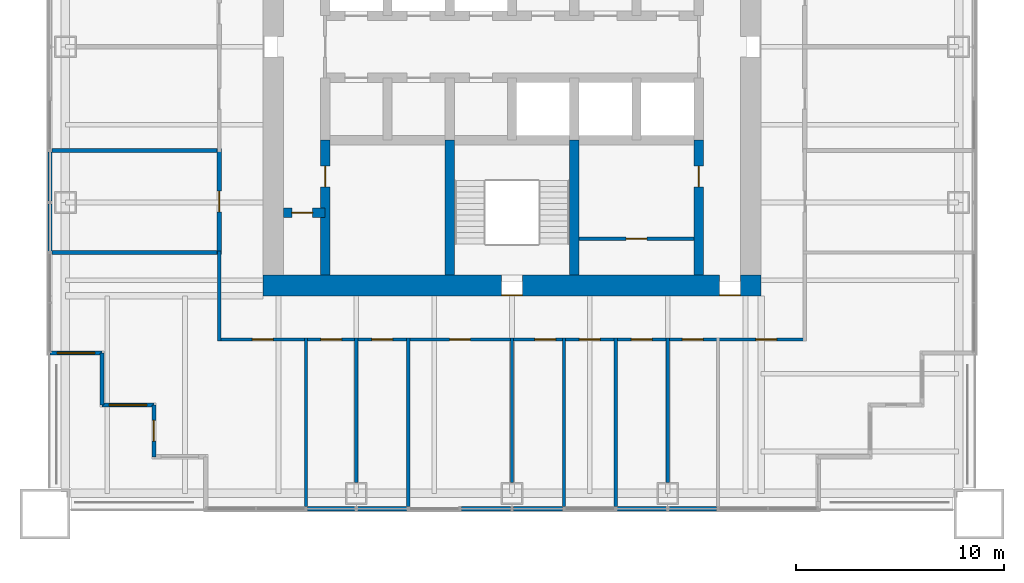
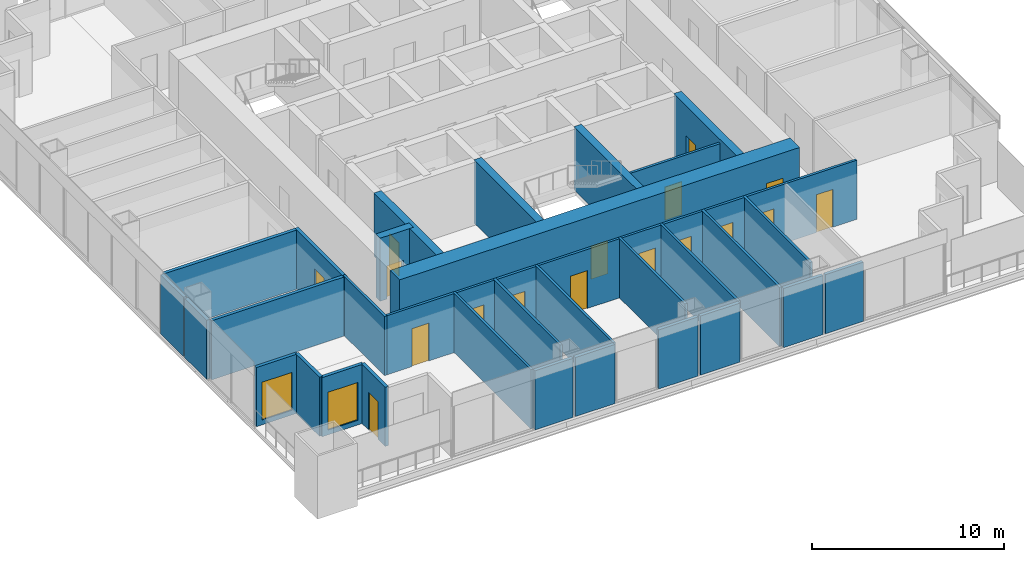
# One storey, part 8 of 14: 31 walls, 17 doors, 2 windows, 19 openings.
"""IFC4 building model written with IfcOpenShell, lengths in metres."""

from ifc_helpers import new_model, si_unit, direction, frame, frame_2d, origin, place, context, subcontext, project, spatial, rectangle, extrude, material, layer, layer_set, type_object, element, fill, save


model = new_model("IFC4")

# Units and contexts
model_context = context("Model", 3, precision=1e-05, world=origin(), true_north=direction((0.0, 1.0)))
body_context = subcontext(model_context, "Body", "Model", "MODEL_VIEW")
ifc_project = project(units=[si_unit("LENGTHUNIT", "METRE"), si_unit("AREAUNIT", "SQUARE_METRE"), si_unit("VOLUMEUNIT", "CUBIC_METRE"), si_unit("PLANEANGLEUNIT", "RADIAN"), si_unit("MASSUNIT", "GRAM", prefix="KILO")], contexts=[model_context])

# Site, building, storey
site_placement = place(None, origin())
site = spatial("IfcSite", under=ifc_project, at=site_placement, CompositionType="ELEMENT")
building_placement = place(site_placement, origin())
building = spatial("IfcBuilding", under=site, at=building_placement, Name="Tarangal Relay Tower", CompositionType="ELEMENT")
storey_placement = place(building_placement, frame((0.0, 0.0, 249.89990234375)))
storey = spatial("IfcBuildingStorey", under=building, at=storey_placement, Name="L54", CompositionType="ELEMENT", Elevation=249.89990234375)

# Walls
ifc_material_1 = material(Name="Two layers gypsum board each side on twin steel studs, mineral wool", Category="steel")
ifc_layer_1 = layer(ifc_material_1, 0.199951171875)
ifc_layer_set_1 = layer_set([ifc_layer_1], Name="Acoustic partition 200")
wall_type_1 = type_object("IfcWallType", Name="Acoustic partition 200", PredefinedType="PARTITIONING", material=ifc_layer_set_1)
for number, where, z_axis, x_axis, name in (
    (1, (-22.14990234375, -9.9169921875, 0.0), (0.0, 0.0, 1.0), (1.0, 0.0, 0.0), "Partition PT2 L54"),
    (2, (-22.14990234375, -5.0, 0.0), (0.0, 0.0, 1.0), (1.0, 0.0, 0.0), "Partition PT2 L54"),
):
    element("IfcWall", number, at=place(storey_placement, frame(where, z_axis=z_axis, x_axis=x_axis)), inside=storey, type_object=wall_type_1, Name=name, PredefinedType="PARTITIONING", context=body_context, shape_type="SweptSolid", body=[
        extrude(rectangle(XDim=8.14990234375, YDim=0.199951171875, at=frame_2d((4.074951171875, 0.0))), origin(), (0.0, 0.0, 1.0), 3.75),
    ])

# Wall, opening, door
wall_1_placement = place(storey_placement, frame((-14.10009765625, -10.01708984375, 0.0), z_axis=(0.0, 0.0, 1.0), x_axis=(0.0, 1.0, 0.0)))
wall_1 = element("IfcWall", 3, at=wall_1_placement, inside=storey, type_object=wall_type_1, Name="Partition PT2 L54", PredefinedType="PARTITIONING", context=body_context, shape_type="SweptSolid", body=[
    extrude(rectangle(XDim=5.1171875, YDim=0.199951171875, at=frame_2d((2.55859375, 0.0))), origin(), (0.0, 0.0, 1.0), 3.75),
])
opening_1_placement = place(wall_1_placement, frame((2.05859375, 0.0, 0.0)))
opening_1 = element("IfcOpeningElement", 4, at=opening_1_placement, cuts=wall_1, Name="Opening SD1", PredefinedType="OPENING", context=body_context, shape_type="SweptSolid", body=[
    extrude(rectangle(XDim=1.0, YDim=2.39990234375, at=frame_2d((0.5, 1.199951171875))), frame((0.0, 0.10986328125, 0.0), z_axis=(0.0, -1.0, 0.0), x_axis=(1.0, 0.0, 0.0)), (0.0, 0.0, 1.0), 0.219970703125),
])
ifc_material_2 = material(Name="Steel door with hardwood frame", Category="steel")
door_type_1 = type_object("IfcDoorType", Name="Suite entrance door 1000 x 2400", OperationType="SINGLE_SWING_RIGHT", PredefinedType="DOOR", material=ifc_material_2)
door_1_placement = place(opening_1_placement, origin())
door_1 = element("IfcDoor", 5, at=door_1_placement, inside=storey, type_object=door_type_1, Name="Door SD1 to meeting room L54-20", OperationType="SINGLE_SWING_RIGHT", OverallHeight=2.39990234375, OverallWidth=1.0, PredefinedType="DOOR", context=body_context, shape_type="SweptSolid", body=[
    extrude(rectangle(XDim=1.0, YDim=2.39990234375, at=frame_2d((0.5, 1.199951171875))), frame((0.0, 0.02490234375, 0.0), z_axis=(0.0, -1.0, 0.0), x_axis=(1.0, 0.0, 0.0)), (0.0, 0.0, 1.0), 0.050048828125),
])
fill(opening_1, door_1)

ifc_material_3 = material(Name="Concrete fc' 60 MPa", Category="concrete")
ifc_layer_2 = layer(ifc_material_3, 0.449951171875)
ifc_layer_set_2 = layer_set([ifc_layer_2], Name="Core inner wall 450")
wall_type_2 = type_object("IfcWallType", Name="Core inner wall 450", PredefinedType="SHEAR", material=ifc_layer_set_2)
wall_2_placement = place(storey_placement, frame((-11.0, -8.0, 0.0), z_axis=(0.0, 0.0, 1.0), x_axis=(1.0, 0.0, 0.0)))
wall_2 = element("IfcWall", 6, at=wall_2_placement, inside=storey, type_object=wall_type_2, Name="Core wall YM8 L54", PredefinedType="SHEAR", context=body_context, shape_type="SweptSolid", body=[
    extrude(rectangle(XDim=2.0, YDim=0.449951171875, at=frame_2d((1.0, 0.0))), origin(), (0.0, 0.0, 1.0), 4.0),
])
opening_2_placement = place(wall_2_placement, frame((0.39990234375, 0.0, 0.0)))
opening_2 = element("IfcOpeningElement", 7, at=opening_2_placement, cuts=wall_2, Name="Opening D1", PredefinedType="OPENING", context=body_context, shape_type="SweptSolid", body=[
    extrude(rectangle(XDim=1.0, YDim=2.10009765625, at=frame_2d((0.5, 1.050048828125))), frame((0.0, 0.23486328125, 0.0), z_axis=(0.0, -1.0, 0.0), x_axis=(1.0, 0.0, 0.0)), (0.0, 0.0, 1.0), 0.469970703125),
])
ifc_material_4 = material(Name="Hardwood door", Category="wood")
door_type_2 = type_object("IfcDoorType", Name="WC door 1000 x 2100", OperationType="SINGLE_SWING_LEFT", PredefinedType="DOOR", material=ifc_material_4)
door_2_placement = place(opening_2_placement, origin())
door_2 = element("IfcDoor", 8, at=door_2_placement, inside=storey, type_object=door_type_2, Name="Accessible WC door L54", OperationType="SINGLE_SWING_LEFT", OverallHeight=2.10009765625, OverallWidth=1.0, PredefinedType="DOOR", context=body_context, shape_type="SweptSolid", body=[
    extrude(rectangle(XDim=1.0, YDim=2.10009765625, at=frame_2d((0.5, 1.050048828125))), frame((0.0, 0.02490234375, 0.0), z_axis=(0.0, -1.0, 0.0), x_axis=(1.0, 0.0, 0.0)), (0.0, 0.0, 1.0), 0.050048828125),
])
fill(opening_2, door_2)

wall_3_placement = place(storey_placement, frame((-9.0, -11.0, 0.0), z_axis=(0.0, 0.0, 1.0), x_axis=(0.0, 1.0, 0.0)))
wall_3 = element("IfcWall", 9, at=wall_3_placement, inside=storey, type_object=wall_type_2, Name="Core wall XM9W L54", PredefinedType="SHEAR", context=body_context, shape_type="SweptSolid", body=[
    extrude(rectangle(XDim=6.5, YDim=0.449951171875, at=frame_2d((3.25, 0.0))), origin(), (0.0, 0.0, 1.0), 4.0),
])
opening_3_placement = place(wall_3_placement, frame((4.25, 0.0, 0.0)))
opening_3 = element("IfcOpeningElement", 10, at=opening_3_placement, cuts=wall_3, Name="Opening D1", PredefinedType="OPENING", context=body_context, shape_type="SweptSolid", body=[
    extrude(rectangle(XDim=1.0, YDim=2.10009765625, at=frame_2d((0.5, 1.050048828125))), frame((0.0, 0.23486328125, 0.0), z_axis=(0.0, -1.0, 0.0), x_axis=(1.0, 0.0, 0.0)), (0.0, 0.0, 1.0), 0.469970703125),
])
door_3_placement = place(opening_3_placement, origin())
door_3 = element("IfcDoor", 11, at=door_3_placement, inside=storey, type_object=door_type_2, Name="Male WC door L54", OperationType="SINGLE_SWING_LEFT", OverallHeight=2.10009765625, OverallWidth=1.0, PredefinedType="DOOR", context=body_context, shape_type="SweptSolid", body=[
    extrude(rectangle(XDim=1.0, YDim=2.10009765625, at=frame_2d((0.5, 1.050048828125))), frame((0.0, 0.02490234375, 0.0), z_axis=(0.0, -1.0, 0.0), x_axis=(1.0, 0.0, 0.0)), (0.0, 0.0, 1.0), 0.050048828125),
])
fill(opening_3, door_3)

wall_4_placement = place(storey_placement, frame((9.0, -11.0, 0.0), z_axis=(0.0, 0.0, 1.0), x_axis=(0.0, 1.0, 0.0)))
wall_4 = element("IfcWall", 12, at=wall_4_placement, inside=storey, type_object=wall_type_2, Name="Core wall X9W L54", PredefinedType="SHEAR", context=body_context, shape_type="SweptSolid", body=[
    extrude(rectangle(XDim=6.5, YDim=0.449951171875, at=frame_2d((3.25, 0.0))), origin(), (0.0, 0.0, 1.0), 4.0),
])
opening_4_placement = place(wall_4_placement, frame((4.25, 0.0, 0.0)))
opening_4 = element("IfcOpeningElement", 13, at=opening_4_placement, cuts=wall_4, Name="Opening D1", PredefinedType="OPENING", context=body_context, shape_type="SweptSolid", body=[
    extrude(rectangle(XDim=1.0, YDim=2.10009765625, at=frame_2d((0.5, 1.050048828125))), frame((0.0, 0.23486328125, 0.0), z_axis=(0.0, -1.0, 0.0), x_axis=(1.0, 0.0, 0.0)), (0.0, 0.0, 1.0), 0.469970703125),
])
door_4_placement = place(opening_4_placement, origin())
door_4 = element("IfcDoor", 14, at=door_4_placement, inside=storey, type_object=door_type_2, Name="Female WC door L54", OperationType="SINGLE_SWING_LEFT", OverallHeight=2.10009765625, OverallWidth=1.0, PredefinedType="DOOR", context=body_context, shape_type="SweptSolid", body=[
    extrude(rectangle(XDim=1.0, YDim=2.10009765625, at=frame_2d((0.5, 1.050048828125))), frame((0.0, 0.02490234375, 0.0), z_axis=(0.0, -1.0, 0.0), x_axis=(1.0, 0.0, 0.0)), (0.0, 0.0, 1.0), 0.050048828125),
])
fill(opening_4, door_4)

# Walls
for number, where, z_axis, x_axis, name in (
    (15, (-3.0, -11.0, 0.0), (0.0, 0.0, 1.0), (0.0, 1.0, 0.0), "Core wall XM3W L54"),
    (16, (3.0, -11.0, 0.0), (0.0, 0.0, 1.0), (0.0, 1.0, 0.0), "Core wall X3W L54"),
):
    element("IfcWall", number, at=place(storey_placement, frame(where, z_axis=z_axis, x_axis=x_axis)), inside=storey, type_object=wall_type_2, Name=name, PredefinedType="SHEAR", context=body_context, shape_type="SweptSolid", body=[
        extrude(rectangle(XDim=6.5, YDim=0.449951171875, at=frame_2d((3.25, 0.0))), origin(), (0.0, 0.0, 1.0), 4.0),
    ])

# Wall, openings, doors
ifc_layer_3 = layer(ifc_material_3, 1.0)
ifc_layer_set_3 = layer_set([ifc_layer_3], Name="Core wall 1000")
wall_type_3 = type_object("IfcWallType", Name="Core wall 1000", PredefinedType="SHEAR", material=ifc_layer_set_3)
wall_5_placement = place(storey_placement, frame((12.0, -11.5, 0.0), z_axis=(0.0, 0.0, 1.0), x_axis=(-1.0, 0.0, 0.0)))
wall_5 = element("IfcWall", 17, at=wall_5_placement, inside=storey, type_object=wall_type_3, Name="Core wall S L54", PredefinedType="SHEAR", context=body_context, shape_type="SweptSolid", body=[
    extrude(rectangle(XDim=24.0, YDim=1.0, at=frame_2d((12.0, 0.0))), origin(), (0.0, 0.0, 1.0), 4.0),
])
opening_5_placement = place(wall_5_placement, frame((11.5, 0.0, 0.0)))
opening_5 = element("IfcOpeningElement", 18, at=opening_5_placement, cuts=wall_5, Name="Opening FD1", PredefinedType="OPENING", context=body_context, shape_type="SweptSolid", body=[
    extrude(rectangle(XDim=1.0, YDim=2.10009765625, at=frame_2d((0.5, 1.050048828125))), frame((0.0, 0.510009765625, 0.0), z_axis=(0.0, -1.0, 0.0), x_axis=(1.0, 0.0, 0.0)), (0.0, 0.0, 1.0), 1.02001953125),
])
opening_6_placement = place(wall_5_placement, frame((1.0, 0.0, 0.0)))
opening_6 = element("IfcOpeningElement", 19, at=opening_6_placement, cuts=wall_5, Name="Opening FD3", PredefinedType="OPENING", context=body_context, shape_type="SweptSolid", body=[
    extrude(rectangle(XDim=1.0, YDim=2.39990234375, at=frame_2d((0.5, 1.199951171875))), frame((0.0, 0.510009765625, 0.0), z_axis=(0.0, -1.0, 0.0), x_axis=(1.0, 0.0, 0.0)), (0.0, 0.0, 1.0), 1.02001953125),
])
door_type_3 = type_object("IfcDoorType", Name="Fire door 1000 x 2100", OperationType="SINGLE_SWING_LEFT", PredefinedType="DOOR", material=ifc_material_2)
door_5_placement = place(opening_5_placement, origin())
door_5 = element("IfcDoor", 20, at=door_5_placement, inside=storey, type_object=door_type_3, Name="Stair ST-C door L54", OperationType="SINGLE_SWING_LEFT", OverallHeight=2.10009765625, OverallWidth=1.0, PredefinedType="DOOR", context=body_context, shape_type="SweptSolid", body=[
    extrude(rectangle(XDim=1.0, YDim=2.10009765625, at=frame_2d((0.5, 1.050048828125))), frame((0.0, 0.48486328125, 0.0), z_axis=(0.0, -1.0, 0.0), x_axis=(1.0, 0.0, 0.0)), (0.0, 0.0, 1.0), 0.050048828125),
])
fill(opening_5, door_5)
door_type_4 = type_object("IfcDoorType", Name="Fire door 1000 x 2400 core entry", OperationType="SINGLE_SWING_RIGHT", PredefinedType="DOOR", material=ifc_material_2)
door_6_placement = place(opening_6_placement, origin())
door_6 = element("IfcDoor", 21, at=door_6_placement, inside=storey, type_object=door_type_4, Name="Core entry door south east L54", OperationType="SINGLE_SWING_RIGHT", OverallHeight=2.39990234375, OverallWidth=1.0, PredefinedType="DOOR", context=body_context, shape_type="SweptSolid", body=[
    extrude(rectangle(XDim=1.0, YDim=2.39990234375, at=frame_2d((0.5, 1.199951171875))), frame((0.0, 0.48486328125, 0.0), z_axis=(0.0, -1.0, 0.0), x_axis=(1.0, 0.0, 0.0)), (0.0, 0.0, 1.0), 0.050048828125),
])
fill(opening_6, door_6)

# Wall, opening, door
ifc_material_5 = material(Name="Black metal clad insulated wall", Category="steel")
ifc_layer_4 = layer(ifc_material_5, 0.199951171875)
ifc_layer_set_4 = layer_set([ifc_layer_4], Name="Corner wall metal clad 200")
wall_type_4 = type_object("IfcWallType", Name="Corner wall metal clad 200", PredefinedType="SOLIDWALL", material=ifc_layer_set_4)
wall_6_placement = place(storey_placement, frame((-17.25, -19.75, 0.0), z_axis=(0.0, 0.0, 1.0), x_axis=(0.0, 1.0, 0.0)))
wall_6 = element("IfcWall", 22, at=wall_6_placement, inside=storey, type_object=wall_type_4, Name="Facade wall S facade L54", PredefinedType="SOLIDWALL", context=body_context, shape_type="SweptSolid", body=[
    extrude(rectangle(XDim=2.5, YDim=0.199951171875, at=frame_2d((1.25, 0.0))), origin(), (0.0, 0.0, 1.0), 3.75),
])
opening_7_placement = place(wall_6_placement, frame((0.75, 0.0, 0.0)))
opening_7 = element("IfcOpeningElement", 23, at=opening_7_placement, cuts=wall_6, Name="Opening TD1", PredefinedType="OPENING", context=body_context, shape_type="SweptSolid", body=[
    extrude(rectangle(XDim=1.0, YDim=2.39990234375, at=frame_2d((0.5, 1.199951171875))), frame((0.0, 0.10986328125, 0.0), z_axis=(0.0, -1.0, 0.0), x_axis=(1.0, 0.0, 0.0)), (0.0, 0.0, 1.0), 0.219970703125),
])
ifc_material_6 = material(Name="Aluminium glazed door", Category="aluminium")
door_type_5 = type_object("IfcDoorType", Name="Terrace door 1000 x 2400", OperationType="SINGLE_SWING_RIGHT", PredefinedType="DOOR", material=ifc_material_6)
door_7_placement = place(opening_7_placement, origin())
door_7 = element("IfcDoor", 24, at=door_7_placement, inside=storey, type_object=door_type_5, Name="Terrace door TD1 SW L54", OperationType="SINGLE_SWING_RIGHT", OverallHeight=2.39990234375, OverallWidth=1.0, PredefinedType="DOOR", context=body_context, shape_type="SweptSolid", body=[
    extrude(rectangle(XDim=1.0, YDim=2.39990234375, at=frame_2d((0.5, 1.199951171875))), frame((0.0, 0.02490234375, 0.0), z_axis=(0.0, -1.0, 0.0), x_axis=(1.0, 0.0, 0.0)), (0.0, 0.0, 1.0), 0.050048828125),
])
fill(opening_7, door_7)

# Wall, opening, window
wall_7_placement = place(storey_placement, frame((-17.25, -17.25, 0.0), z_axis=(0.0, 0.0, 1.0), x_axis=(-1.0, 0.0, 0.0)))
wall_7 = element("IfcWall", 25, at=wall_7_placement, inside=storey, type_object=wall_type_4, Name="Facade wall S facade L54", PredefinedType="SOLIDWALL", context=body_context, shape_type="SweptSolid", body=[
    extrude(rectangle(XDim=2.5, YDim=0.199951171875, at=frame_2d((1.25, 0.0))), origin(), (0.0, 0.0, 1.0), 3.75),
])
opening_8_placement = place(wall_7_placement, frame((0.35009765625, 0.0, 0.300048828125)))
opening_8 = element("IfcOpeningElement", 26, at=opening_8_placement, cuts=wall_7, Name="Opening WN2", PredefinedType="OPENING", context=body_context, shape_type="SweptSolid", body=[
    extrude(rectangle(XDim=1.800048828125, YDim=2.39990234375, at=frame_2d((0.89990234375, 1.199951171875))), frame((0.0, 0.10986328125, 0.0), z_axis=(0.0, -1.0, 0.0), x_axis=(1.0, 0.0, 0.0)), (0.0, 0.0, 1.0), 0.219970703125),
])
ifc_material_7 = material(Name="Dark tinted double glazing in black aluminium frame", Category="aluminium")
window_type = type_object("IfcWindowType", Name="Corner window 1800 x 2400", PartitioningType="SINGLE_PANEL", PredefinedType="WINDOW", material=ifc_material_7)
window_1_placement = place(opening_8_placement, origin())
window_1 = element("IfcWindow", 27, at=window_1_placement, inside=storey, type_object=window_type, Name="Corner window WN2 S facade L54", OverallHeight=2.39990234375, OverallWidth=1.800048828125, PartitioningType="SINGLE_PANEL", PredefinedType="WINDOW", context=body_context, shape_type="SweptSolid", body=[
    extrude(rectangle(XDim=1.800048828125, YDim=2.39990234375, at=frame_2d((0.89990234375, 1.199951171875))), frame((0.0, 0.030029296875, 0.0), z_axis=(0.0, -1.0, 0.0), x_axis=(1.0, 0.0, 0.0)), (0.0, 0.0, 1.0), 0.06005859375),
])
fill(opening_8, window_1)

# Wall
wall_8_placement = place(storey_placement, frame((-19.75, -17.25, 0.0), z_axis=(0.0, 0.0, 1.0), x_axis=(0.0, 1.0, 0.0)))
element("IfcWall", 28, at=wall_8_placement, inside=storey, type_object=wall_type_4, Name="Facade wall S facade L54", PredefinedType="SOLIDWALL", context=body_context, shape_type="SweptSolid", body=[
    extrude(rectangle(XDim=2.5, YDim=0.199951171875, at=frame_2d((1.25, 0.0))), origin(), (0.0, 0.0, 1.0), 3.75),
])

# Wall, opening, window
wall_9_placement = place(storey_placement, frame((-19.75, -14.75, 0.0), z_axis=(0.0, 0.0, 1.0), x_axis=(-1.0, 0.0, 0.0)))
wall_9 = element("IfcWall", 29, at=wall_9_placement, inside=storey, type_object=wall_type_4, Name="Facade wall S facade L54", PredefinedType="SOLIDWALL", context=body_context, shape_type="SweptSolid", body=[
    extrude(rectangle(XDim=2.5, YDim=0.199951171875, at=frame_2d((1.25, 0.0))), origin(), (0.0, 0.0, 1.0), 3.75),
])
opening_9_placement = place(wall_9_placement, frame((0.35009765625, 0.0, 0.300048828125)))
opening_9 = element("IfcOpeningElement", 30, at=opening_9_placement, cuts=wall_9, Name="Opening WN2", PredefinedType="OPENING", context=body_context, shape_type="SweptSolid", body=[
    extrude(rectangle(XDim=1.800048828125, YDim=2.39990234375, at=frame_2d((0.89990234375, 1.199951171875))), frame((0.0, 0.10986328125, 0.0), z_axis=(0.0, -1.0, 0.0), x_axis=(1.0, 0.0, 0.0)), (0.0, 0.0, 1.0), 0.219970703125),
])
window_2_placement = place(opening_9_placement, origin())
window_2 = element("IfcWindow", 31, at=window_2_placement, inside=storey, type_object=window_type, Name="Corner window WN2 S facade L54", OverallHeight=2.39990234375, OverallWidth=1.800048828125, PartitioningType="SINGLE_PANEL", PredefinedType="WINDOW", context=body_context, shape_type="SweptSolid", body=[
    extrude(rectangle(XDim=1.800048828125, YDim=2.39990234375, at=frame_2d((0.89990234375, 1.199951171875))), frame((0.0, 0.030029296875, 0.0), z_axis=(0.0, -1.0, 0.0), x_axis=(1.0, 0.0, 0.0)), (0.0, 0.0, 1.0), 0.06005859375),
])
fill(opening_9, window_2)

# Walls
ifc_layer_5 = layer(ifc_material_5, 0.199951171875)
ifc_layer_set_5 = layer_set([ifc_layer_5], Name="Facade infill wall metal clad 200")
wall_type_5 = type_object("IfcWallType", Name="Facade infill wall metal clad 200", PredefinedType="SOLIDWALL", material=ifc_layer_set_5)
wall_10_placement = place(storey_placement, frame((9.851806640625, -22.25, 0.0), z_axis=(0.0, 0.0, 1.0), x_axis=(-1.0, 0.0, 0.0)))
element("IfcWall", 32, at=wall_10_placement, inside=storey, type_object=wall_type_5, Name="Facade infill wall S facade L54 1.1", PredefinedType="SOLIDWALL", context=body_context, shape_type="SweptSolid", body=[
    extrude(rectangle(XDim=2.286865234375, YDim=0.199951171875, at=frame_2d((1.1435546875, 0.0))), origin(), (0.0, 0.0, 1.0), 3.75),
])
for number, where, z_axis, x_axis, name in (
    (33, (7.43505859375, -22.25, 0.0), (0.0, 0.0, 1.0), (-1.0, 0.0, 0.0), "Facade infill wall S facade L54 1.1"),
    (34, (2.43505859375, -22.25, 0.0), (0.0, 0.0, 1.0), (-1.0, 0.0, 0.0), "Facade infill wall S facade L54 1.1"),
    (35, (-0.06494140625, -22.25, 0.0), (0.0, 0.0, 1.0), (-1.0, 0.0, 0.0), "Facade infill wall S facade L54 1.1"),
    (36, (-5.06494140625, -22.25, 0.0), (0.0, 0.0, 1.0), (-1.0, 0.0, 0.0), "Facade infill wall S facade L54 1.1"),
):
    element("IfcWall", number, at=place(storey_placement, frame(where, z_axis=z_axis, x_axis=x_axis)), inside=storey, type_object=wall_type_5, Name=name, PredefinedType="SOLIDWALL", context=body_context, shape_type="SweptSolid", body=[
        extrude(rectangle(XDim=2.3701171875, YDim=0.199951171875, at=frame_2d((1.18505859375, 0.0))), origin(), (0.0, 0.0, 1.0), 3.75),
    ])
for number, where, z_axis, x_axis, name in (
    (37, (-7.56494140625, -22.25, 0.0), (0.0, 0.0, 1.0), (-1.0, 0.0, 0.0), "Facade infill wall S facade L54 1.1"),
    (38, (-22.25, -9.851806640625, 0.0), (0.0, 0.0, 1.0), (0.0, 1.0, 0.0), "Facade infill wall W facade L54 1.1"),
):
    element("IfcWall", number, at=place(storey_placement, frame(where, z_axis=z_axis, x_axis=x_axis)), inside=storey, type_object=wall_type_5, Name=name, PredefinedType="SOLIDWALL", context=body_context, shape_type="SweptSolid", body=[
        extrude(rectangle(XDim=2.286865234375, YDim=0.199951171875, at=frame_2d((1.1435546875, 0.0))), origin(), (0.0, 0.0, 1.0), 3.75),
    ])
wall_11_placement = place(storey_placement, frame((-22.25, -7.43505859375, 0.0), z_axis=(0.0, 0.0, 1.0), x_axis=(0.0, 1.0, 0.0)))
element("IfcWall", 39, at=wall_11_placement, inside=storey, type_object=wall_type_5, Name="Facade infill wall W facade L54 1.1", PredefinedType="SOLIDWALL", context=body_context, shape_type="SweptSolid", body=[
    extrude(rectangle(XDim=2.3701171875, YDim=0.199951171875, at=frame_2d((1.18505859375, 0.0))), origin(), (0.0, 0.0, 1.0), 3.75),
])

# Wall, openings, doors
ifc_material_8 = material(Name="Gypsum board on steel studs", Category="steel")
ifc_layer_6 = layer(ifc_material_8, 0.14990234375)
ifc_layer_set_6 = layer_set([ifc_layer_6], Name="Partition 150")
wall_type_6 = type_object("IfcWallType", Name="Partition 150", PredefinedType="PARTITIONING", material=ifc_layer_set_6)
wall_12_placement = place(storey_placement, frame((-14.175048828125, -14.10009765625, 0.0), z_axis=(0.0, 0.0, 1.0), x_axis=(1.0, 0.0, 0.0)))
wall_12 = element("IfcWall", 40, at=wall_12_placement, inside=storey, type_object=wall_type_6, Name="Partition PT1 L54", PredefinedType="PARTITIONING", context=body_context, shape_type="SweptSolid", body=[
    extrude(rectangle(XDim=28.35009765625, YDim=0.14990234375, at=frame_2d((14.175048828125, 0.0))), origin(), (0.0, 0.0, 1.0), 3.75),
])
opening_10_placement = place(wall_12_placement, frame((22.383544921875, 0.0, 0.0)))
opening_10 = element("IfcOpeningElement", 41, at=opening_10_placement, cuts=wall_12, Name="Opening SD1", PredefinedType="OPENING", context=body_context, shape_type="SweptSolid", body=[
    extrude(rectangle(XDim=1.0, YDim=2.39990234375, at=frame_2d((0.5, 1.199951171875))), frame((0.0, 0.0849609375, 0.0), z_axis=(0.0, -1.0, 0.0), x_axis=(1.0, 0.0, 0.0)), (0.0, 0.0, 1.0), 0.169921875),
])
opening_11_placement = place(wall_12_placement, frame((19.925048828125, 0.0, 0.0)))
opening_11 = element("IfcOpeningElement", 42, at=opening_11_placement, cuts=wall_12, Name="Opening SD1", PredefinedType="OPENING", context=body_context, shape_type="SweptSolid", body=[
    extrude(rectangle(XDim=1.0, YDim=2.39990234375, at=frame_2d((0.5, 1.199951171875))), frame((0.0, 0.0849609375, 0.0), z_axis=(0.0, -1.0, 0.0), x_axis=(1.0, 0.0, 0.0)), (0.0, 0.0, 1.0), 0.169921875),
])
opening_12_placement = place(wall_12_placement, frame((17.425048828125, 0.0, 0.0)))
opening_12 = element("IfcOpeningElement", 43, at=opening_12_placement, cuts=wall_12, Name="Opening SD1", PredefinedType="OPENING", context=body_context, shape_type="SweptSolid", body=[
    extrude(rectangle(XDim=1.0, YDim=2.39990234375, at=frame_2d((0.5, 1.199951171875))), frame((0.0, 0.0849609375, 0.0), z_axis=(0.0, -1.0, 0.0), x_axis=(1.0, 0.0, 0.0)), (0.0, 0.0, 1.0), 0.169921875),
])
opening_13_placement = place(wall_12_placement, frame((15.27490234375, 0.0, 0.0)))
opening_13 = element("IfcOpeningElement", 44, at=opening_13_placement, cuts=wall_12, Name="Opening SD1", PredefinedType="OPENING", context=body_context, shape_type="SweptSolid", body=[
    extrude(rectangle(XDim=1.0, YDim=2.39990234375, at=frame_2d((0.5, 1.199951171875))), frame((0.0, 0.0849609375, 0.0), z_axis=(0.0, -1.0, 0.0), x_axis=(1.0, 0.0, 0.0)), (0.0, 0.0, 1.0), 0.169921875),
])
opening_14_placement = place(wall_12_placement, frame((11.175048828125, 0.0, 0.0)))
opening_14 = element("IfcOpeningElement", 45, at=opening_14_placement, cuts=wall_12, Name="Opening SD1", PredefinedType="OPENING", context=body_context, shape_type="SweptSolid", body=[
    extrude(rectangle(XDim=1.0, YDim=2.39990234375, at=frame_2d((0.5, 1.199951171875))), frame((0.0, 0.0849609375, 0.0), z_axis=(0.0, -1.0, 0.0), x_axis=(1.0, 0.0, 0.0)), (0.0, 0.0, 1.0), 0.169921875),
])
opening_15_placement = place(wall_12_placement, frame((7.425048828125, 0.0, 0.0)))
opening_15 = element("IfcOpeningElement", 46, at=opening_15_placement, cuts=wall_12, Name="Opening SD1", PredefinedType="OPENING", context=body_context, shape_type="SweptSolid", body=[
    extrude(rectangle(XDim=1.0, YDim=2.39990234375, at=frame_2d((0.5, 1.199951171875))), frame((0.0, 0.0849609375, 0.0), z_axis=(0.0, -1.0, 0.0), x_axis=(1.0, 0.0, 0.0)), (0.0, 0.0, 1.0), 0.169921875),
])
opening_16_placement = place(wall_12_placement, frame((4.966552734375, 0.0, 0.0)))
opening_16 = element("IfcOpeningElement", 47, at=opening_16_placement, cuts=wall_12, Name="Opening SD1", PredefinedType="OPENING", context=body_context, shape_type="SweptSolid", body=[
    extrude(rectangle(XDim=1.0, YDim=2.39990234375, at=frame_2d((0.5, 1.199951171875))), frame((0.0, 0.0849609375, 0.0), z_axis=(0.0, -1.0, 0.0), x_axis=(1.0, 0.0, 0.0)), (0.0, 0.0, 1.0), 0.169921875),
])
opening_17_placement = place(wall_12_placement, frame((25.921875, 0.0, 0.0)))
opening_17 = element("IfcOpeningElement", 48, at=opening_17_placement, cuts=wall_12, Name="Opening SD1", PredefinedType="OPENING", context=body_context, shape_type="SweptSolid", body=[
    extrude(rectangle(XDim=1.0, YDim=2.39990234375, at=frame_2d((0.5, 1.199951171875))), frame((0.0, 0.0849609375, 0.0), z_axis=(0.0, -1.0, 0.0), x_axis=(1.0, 0.0, 0.0)), (0.0, 0.0, 1.0), 0.169921875),
])
opening_18_placement = place(wall_12_placement, frame((1.66650390625, 0.0, 0.0)))
opening_18 = element("IfcOpeningElement", 49, at=opening_18_placement, cuts=wall_12, Name="Opening SD1", PredefinedType="OPENING", context=body_context, shape_type="SweptSolid", body=[
    extrude(rectangle(XDim=1.0, YDim=2.39990234375, at=frame_2d((0.5, 1.199951171875))), frame((0.0, 0.0849609375, 0.0), z_axis=(0.0, -1.0, 0.0), x_axis=(1.0, 0.0, 0.0)), (0.0, 0.0, 1.0), 0.169921875),
])
door_8_placement = place(opening_10_placement, origin())
door_8 = element("IfcDoor", 50, at=door_8_placement, inside=storey, type_object=door_type_1, Name="Door SD1 to cellular office L54-13", OperationType="SINGLE_SWING_RIGHT", OverallHeight=2.39990234375, OverallWidth=1.0, PredefinedType="DOOR", context=body_context, shape_type="SweptSolid", body=[
    extrude(rectangle(XDim=1.0, YDim=2.39990234375, at=frame_2d((0.5, 1.199951171875))), frame((0.0, 0.02490234375, 0.0), z_axis=(0.0, -1.0, 0.0), x_axis=(1.0, 0.0, 0.0)), (0.0, 0.0, 1.0), 0.050048828125),
])
fill(opening_10, door_8)
door_9_placement = place(opening_11_placement, origin())
door_9 = element("IfcDoor", 51, at=door_9_placement, inside=storey, type_object=door_type_1, Name="Door SD1 to cellular office L54-14", OperationType="SINGLE_SWING_RIGHT", OverallHeight=2.39990234375, OverallWidth=1.0, PredefinedType="DOOR", context=body_context, shape_type="SweptSolid", body=[
    extrude(rectangle(XDim=1.0, YDim=2.39990234375, at=frame_2d((0.5, 1.199951171875))), frame((0.0, 0.02490234375, 0.0), z_axis=(0.0, -1.0, 0.0), x_axis=(1.0, 0.0, 0.0)), (0.0, 0.0, 1.0), 0.050048828125),
])
fill(opening_11, door_9)
door_10_placement = place(opening_12_placement, origin())
door_10 = element("IfcDoor", 52, at=door_10_placement, inside=storey, type_object=door_type_1, Name="Door SD1 to cellular office L54-15", OperationType="SINGLE_SWING_RIGHT", OverallHeight=2.39990234375, OverallWidth=1.0, PredefinedType="DOOR", context=body_context, shape_type="SweptSolid", body=[
    extrude(rectangle(XDim=1.0, YDim=2.39990234375, at=frame_2d((0.5, 1.199951171875))), frame((0.0, 0.02490234375, 0.0), z_axis=(0.0, -1.0, 0.0), x_axis=(1.0, 0.0, 0.0)), (0.0, 0.0, 1.0), 0.050048828125),
])
fill(opening_12, door_10)
door_11_placement = place(opening_13_placement, origin())
door_11 = element("IfcDoor", 53, at=door_11_placement, inside=storey, type_object=door_type_1, Name="Door SD1 to team room L54-16", OperationType="SINGLE_SWING_RIGHT", OverallHeight=2.39990234375, OverallWidth=1.0, PredefinedType="DOOR", context=body_context, shape_type="SweptSolid", body=[
    extrude(rectangle(XDim=1.0, YDim=2.39990234375, at=frame_2d((0.5, 1.199951171875))), frame((0.0, 0.02490234375, 0.0), z_axis=(0.0, -1.0, 0.0), x_axis=(1.0, 0.0, 0.0)), (0.0, 0.0, 1.0), 0.050048828125),
])
fill(opening_13, door_11)
door_12_placement = place(opening_14_placement, origin())
door_12 = element("IfcDoor", 54, at=door_12_placement, inside=storey, type_object=door_type_1, Name="Door SD1 to print room L54-17", OperationType="SINGLE_SWING_RIGHT", OverallHeight=2.39990234375, OverallWidth=1.0, PredefinedType="DOOR", context=body_context, shape_type="SweptSolid", body=[
    extrude(rectangle(XDim=1.0, YDim=2.39990234375, at=frame_2d((0.5, 1.199951171875))), frame((0.0, 0.02490234375, 0.0), z_axis=(0.0, -1.0, 0.0), x_axis=(1.0, 0.0, 0.0)), (0.0, 0.0, 1.0), 0.050048828125),
])
fill(opening_14, door_12)
door_13_placement = place(opening_15_placement, origin())
door_13 = element("IfcDoor", 55, at=door_13_placement, inside=storey, type_object=door_type_1, Name="Door SD1 to cellular office L54-18", OperationType="SINGLE_SWING_RIGHT", OverallHeight=2.39990234375, OverallWidth=1.0, PredefinedType="DOOR", context=body_context, shape_type="SweptSolid", body=[
    extrude(rectangle(XDim=1.0, YDim=2.39990234375, at=frame_2d((0.5, 1.199951171875))), frame((0.0, 0.02490234375, 0.0), z_axis=(0.0, -1.0, 0.0), x_axis=(1.0, 0.0, 0.0)), (0.0, 0.0, 1.0), 0.050048828125),
])
fill(opening_15, door_13)
door_14_placement = place(opening_16_placement, origin())
door_14 = element("IfcDoor", 56, at=door_14_placement, inside=storey, type_object=door_type_1, Name="Door SD1 to cellular office L54-19", OperationType="SINGLE_SWING_RIGHT", OverallHeight=2.39990234375, OverallWidth=1.0, PredefinedType="DOOR", context=body_context, shape_type="SweptSolid", body=[
    extrude(rectangle(XDim=1.0, YDim=2.39990234375, at=frame_2d((0.5, 1.199951171875))), frame((0.0, 0.02490234375, 0.0), z_axis=(0.0, -1.0, 0.0), x_axis=(1.0, 0.0, 0.0)), (0.0, 0.0, 1.0), 0.050048828125),
])
fill(opening_16, door_14)
door_15_placement = place(opening_17_placement, origin())
door_15 = element("IfcDoor", 57, at=door_15_placement, inside=storey, type_object=door_type_1, Name="Door SD1 to open plan office L54-27", OperationType="SINGLE_SWING_RIGHT", OverallHeight=2.39990234375, OverallWidth=1.0, PredefinedType="DOOR", context=body_context, shape_type="SweptSolid", body=[
    extrude(rectangle(XDim=1.0, YDim=2.39990234375, at=frame_2d((0.5, 1.199951171875))), frame((0.0, 0.02490234375, 0.0), z_axis=(0.0, -1.0, 0.0), x_axis=(1.0, 0.0, 0.0)), (0.0, 0.0, 1.0), 0.050048828125),
])
fill(opening_17, door_15)
door_16_placement = place(opening_18_placement, origin())
door_16 = element("IfcDoor", 58, at=door_16_placement, inside=storey, type_object=door_type_1, Name="Door SD1 to open plan office L54-28", OperationType="SINGLE_SWING_RIGHT", OverallHeight=2.39990234375, OverallWidth=1.0, PredefinedType="DOOR", context=body_context, shape_type="SweptSolid", body=[
    extrude(rectangle(XDim=1.0, YDim=2.39990234375, at=frame_2d((0.5, 1.199951171875))), frame((0.0, 0.02490234375, 0.0), z_axis=(0.0, -1.0, 0.0), x_axis=(1.0, 0.0, 0.0)), (0.0, 0.0, 1.0), 0.050048828125),
])
fill(opening_18, door_16)

# Walls
wall_13_placement = place(storey_placement, frame((-14.10009765625, -14.175048828125, 0.0), z_axis=(0.0, 0.0, 1.0), x_axis=(0.0, 1.0, 0.0)))
element("IfcWall", 59, at=wall_13_placement, inside=storey, type_object=wall_type_6, Name="Partition PT1 L54", PredefinedType="PARTITIONING", context=body_context, shape_type="SweptSolid", body=[
    extrude(rectangle(XDim=4.3330078125, YDim=0.14990234375, at=frame_2d((2.16650390625, 0.0))), origin(), (0.0, 0.0, 1.0), 3.75),
])
wall_14_placement = place(storey_placement, frame((-9.9169921875, -22.14990234375, 0.0), z_axis=(0.0, 0.0, 1.0), x_axis=(0.0, 1.0, 0.0)))
element("IfcWall", 60, at=wall_14_placement, inside=storey, type_object=wall_type_6, Name="Partition PT1 L54", PredefinedType="PARTITIONING", context=body_context, shape_type="SweptSolid", body=[
    extrude(rectangle(XDim=8.125, YDim=0.14990234375, at=frame_2d((4.0625, 0.0))), origin(), (0.0, 0.0, 1.0), 3.75),
])
wall_15_placement = place(storey_placement, frame((-7.5, -20.989990234375, 0.0), z_axis=(0.0, 0.0, 1.0), x_axis=(0.0, 1.0, 0.0)))
element("IfcWall", 61, at=wall_15_placement, inside=storey, type_object=wall_type_6, Name="Partition PT1 L54", PredefinedType="PARTITIONING", context=body_context, shape_type="SweptSolid", body=[
    extrude(rectangle(XDim=6.965087890625, YDim=0.14990234375, at=frame_2d((3.482421875, 0.0))), origin(), (0.0, 0.0, 1.0), 3.75),
])
wall_16_placement = place(storey_placement, frame((-5.0, -22.14990234375, 0.0), z_axis=(0.0, 0.0, 1.0), x_axis=(0.0, 1.0, 0.0)))
element("IfcWall", 62, at=wall_16_placement, inside=storey, type_object=wall_type_6, Name="Partition PT1 L54", PredefinedType="PARTITIONING", context=body_context, shape_type="SweptSolid", body=[
    extrude(rectangle(XDim=8.125, YDim=0.14990234375, at=frame_2d((4.0625, 0.0))), origin(), (0.0, 0.0, 1.0), 3.75),
])
wall_17_placement = place(storey_placement, frame((0.0, -20.989990234375, 0.0), z_axis=(0.0, 0.0, 1.0), x_axis=(0.0, 1.0, 0.0)))
element("IfcWall", 63, at=wall_17_placement, inside=storey, type_object=wall_type_6, Name="Partition PT1 L54", PredefinedType="PARTITIONING", context=body_context, shape_type="SweptSolid", body=[
    extrude(rectangle(XDim=6.965087890625, YDim=0.14990234375, at=frame_2d((3.482421875, 0.0))), origin(), (0.0, 0.0, 1.0), 3.75),
])
for number, where, z_axis, x_axis, name in (
    (64, (2.5, -22.14990234375, 0.0), (0.0, 0.0, 1.0), (0.0, 1.0, 0.0), "Partition PT1 L54"),
    (65, (5.0, -22.14990234375, 0.0), (0.0, 0.0, 1.0), (0.0, 1.0, 0.0), "Partition PT1 L54"),
):
    element("IfcWall", number, at=place(storey_placement, frame(where, z_axis=z_axis, x_axis=x_axis)), inside=storey, type_object=wall_type_6, Name=name, PredefinedType="PARTITIONING", context=body_context, shape_type="SweptSolid", body=[
        extrude(rectangle(XDim=8.125, YDim=0.14990234375, at=frame_2d((4.0625, 0.0))), origin(), (0.0, 0.0, 1.0), 3.75),
    ])
wall_18_placement = place(storey_placement, frame((7.5, -20.989990234375, 0.0), z_axis=(0.0, 0.0, 1.0), x_axis=(0.0, 1.0, 0.0)))
element("IfcWall", 66, at=wall_18_placement, inside=storey, type_object=wall_type_6, Name="Partition PT1 L54", PredefinedType="PARTITIONING", context=body_context, shape_type="SweptSolid", body=[
    extrude(rectangle(XDim=6.965087890625, YDim=0.14990234375, at=frame_2d((3.482421875, 0.0))), origin(), (0.0, 0.0, 1.0), 3.75),
])

# Wall, opening, door
wall_19_placement = place(storey_placement, frame((3.22509765625, -9.25, 0.0), z_axis=(0.0, 0.0, 1.0), x_axis=(1.0, 0.0, 0.0)))
wall_19 = element("IfcWall", 67, at=wall_19_placement, inside=storey, type_object=wall_type_6, Name="Partition PT1 L54", PredefinedType="PARTITIONING", context=body_context, shape_type="SweptSolid", body=[
    extrude(rectangle(XDim=5.5498046875, YDim=0.14990234375, at=frame_2d((2.77490234375, 0.0))), origin(), (0.0, 0.0, 1.0), 3.75),
])
opening_19_placement = place(wall_19_placement, frame((2.27490234375, 0.0, 0.0)))
opening_19 = element("IfcOpeningElement", 68, at=opening_19_placement, cuts=wall_19, Name="Opening D1", PredefinedType="OPENING", context=body_context, shape_type="SweptSolid", body=[
    extrude(rectangle(XDim=1.0, YDim=2.10009765625, at=frame_2d((0.5, 1.050048828125))), frame((0.0, 0.0849609375, 0.0), z_axis=(0.0, -1.0, 0.0), x_axis=(1.0, 0.0, 0.0)), (0.0, 0.0, 1.0), 0.169921875),
])
door_17_placement = place(opening_19_placement, origin())
door_17 = element("IfcDoor", 69, at=door_17_placement, inside=storey, type_object=door_type_2, Name="Door D1 to female shower and changing room L54-C10B", OperationType="SINGLE_SWING_LEFT", OverallHeight=2.10009765625, OverallWidth=1.0, PredefinedType="DOOR", context=body_context, shape_type="SweptSolid", body=[
    extrude(rectangle(XDim=1.0, YDim=2.10009765625, at=frame_2d((0.5, 1.050048828125))), frame((0.0, 0.02490234375, 0.0), z_axis=(0.0, -1.0, 0.0), x_axis=(1.0, 0.0, 0.0)), (0.0, 0.0, 1.0), 0.050048828125),
])
fill(opening_19, door_17)

save(model, "model.ifc")
